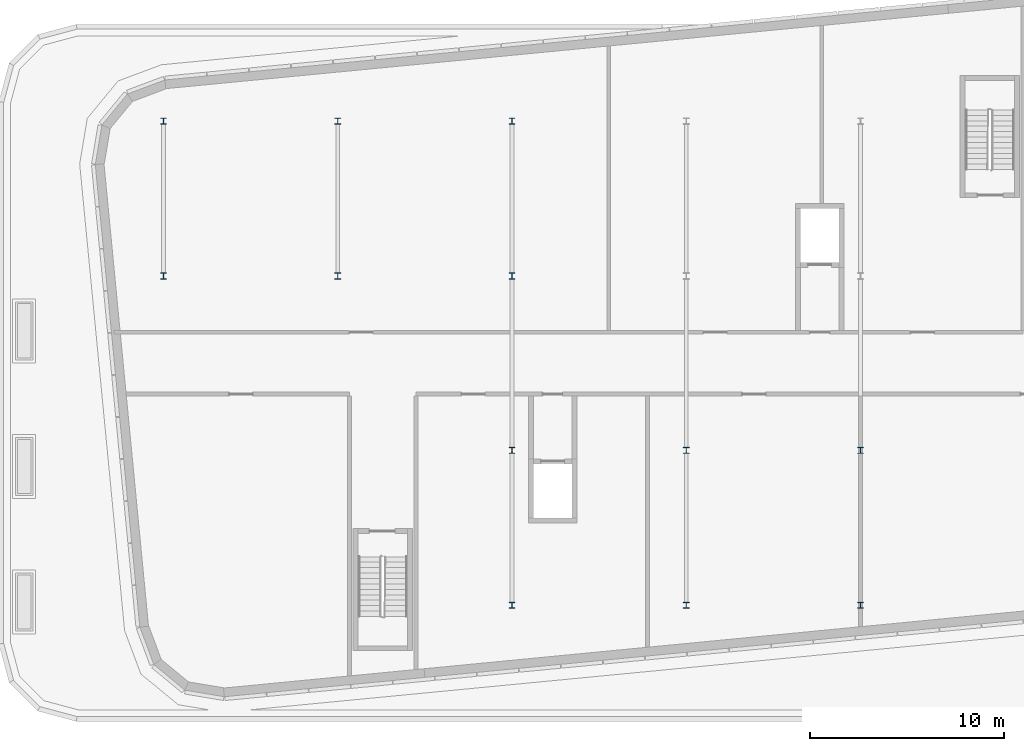
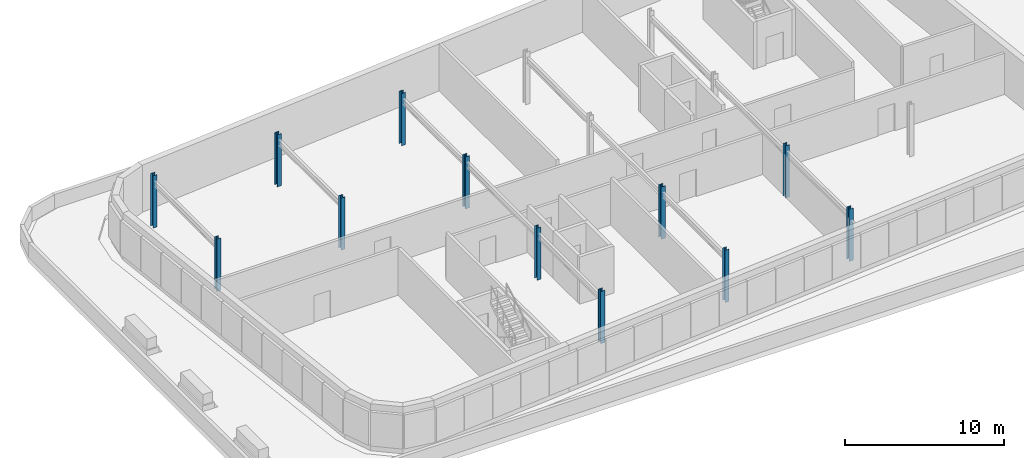
# One storey, part 1 of 7: 12 columns.
"""IFC4 building model written with IfcOpenShell, lengths in metres."""

from ifc_helpers import new_model, si_unit, direction, frame, origin, origin_2d, place, context, subcontext, project, spatial, i_section, extrude, material, material_profile, profile_set, type_object, element, save


model = new_model("IFC4")

# Units and contexts
model_context = context("Model", 3, precision=1e-05, world=origin(), true_north=direction((0.0, 1.0)))
body_context = subcontext(model_context, "Body", "Model", "MODEL_VIEW")
ifc_project = project(units=[si_unit("LENGTHUNIT", "METRE"), si_unit("AREAUNIT", "SQUARE_METRE"), si_unit("VOLUMEUNIT", "CUBIC_METRE"), si_unit("PLANEANGLEUNIT", "RADIAN"), si_unit("MASSUNIT", "GRAM", prefix="KILO")], contexts=[model_context])

# Site, building, storey
site_placement = place(None, origin())
site = spatial("IfcSite", under=ifc_project, at=site_placement, CompositionType="ELEMENT")
building_placement = place(site_placement, origin())
building = spatial("IfcBuilding", under=site, at=building_placement, Name="Kajstack Hotel Tower", CompositionType="ELEMENT")
storey_placement = place(building_placement, frame((0.0, 0.0, 317.800048828125)))
storey = spatial("IfcBuildingStorey", under=building, at=storey_placement, Name="L80", CompositionType="ELEMENT", Elevation=317.800048828125)

# Columns
ifc_material = material(Name="Steel S355J2", Category="steel")
ifc_material_profile = material_profile(ifc_material, i_section(OverallWidth=0.300048828125, OverallDepth=0.320068359375, WebThickness=0.011474609375, FlangeThickness=0.0205078125, FilletRadius=0.027099609375, at=origin_2d()), Name="HEB 320")
ifc_profile_set = profile_set([ifc_material_profile], Name="Steel S355J2")
column_type = type_object("IfcColumnType", Name="CC2 HEB 320", PredefinedType="COLUMN", material=ifc_profile_set)
for number, where, z_axis, x_axis, name in (
    (1, (-27.0, 4.5, 0.0), (0.0, 0.0, 1.0), (1.0, 0.0, 0.0), "S-col-c-L80--27p0+4p5"),
    (2, (-27.0, 12.5, 0.0), (0.0, 0.0, 1.0), (1.0, 0.0, 0.0), "S-col-c-L80--27p0+12p5"),
    (3, (-18.0, 4.5, 0.0), (0.0, 0.0, 1.0), (1.0, 0.0, 0.0), "S-col-c-L80--18p0+4p5"),
    (4, (-18.0, 12.5, 0.0), (0.0, 0.0, 1.0), (1.0, 0.0, 0.0), "S-col-c-L80--18p0+12p5"),
    (5, (-9.0, -12.5, 0.0), (0.0, 0.0, 1.0), (1.0, 0.0, 0.0), "S-col-c-L80--9p0-12p5"),
    (6, (-9.0, -4.5, 0.0), (0.0, 0.0, 1.0), (1.0, 0.0, 0.0), "S-col-c-L80--9p0-4p5"),
    (7, (-9.0, 4.5, 0.0), (0.0, 0.0, 1.0), (1.0, 0.0, 0.0), "S-col-c-L80--9p0+4p5"),
    (8, (-9.0, 12.5, 0.0), (0.0, 0.0, 1.0), (1.0, 0.0, 0.0), "S-col-c-L80--9p0+12p5"),
    (9, (0.0, -12.5, 0.0), (0.0, 0.0, 1.0), (1.0, 0.0, 0.0), "S-col-c-L80-+0p0-12p5"),
    (10, (0.0, -4.5, 0.0), (0.0, 0.0, 1.0), (1.0, 0.0, 0.0), "S-col-c-L80-+0p0-4p5"),
    (11, (9.0, -12.5, 0.0), (0.0, 0.0, 1.0), (1.0, 0.0, 0.0), "S-col-c-L80-+9p0-12p5"),
    (12, (9.0, -4.5, 0.0), (0.0, 0.0, 1.0), (1.0, 0.0, 0.0), "S-col-c-L80-+9p0-4p5"),
):
    element("IfcColumn", number, at=place(storey_placement, frame(where, z_axis=z_axis, x_axis=x_axis)), inside=storey, type_object=column_type, Name=name, PredefinedType="COLUMN", context=body_context, shape_type="SweptSolid", body=[
        extrude(i_section(OverallWidth=0.300048828125, OverallDepth=0.320068359375, WebThickness=0.011474609375, FlangeThickness=0.0205078125, FilletRadius=0.027099609375, at=origin_2d()), origin(), (0.0, 0.0, 1.0), 4.0),
    ])

save(model, "model.ifc")
